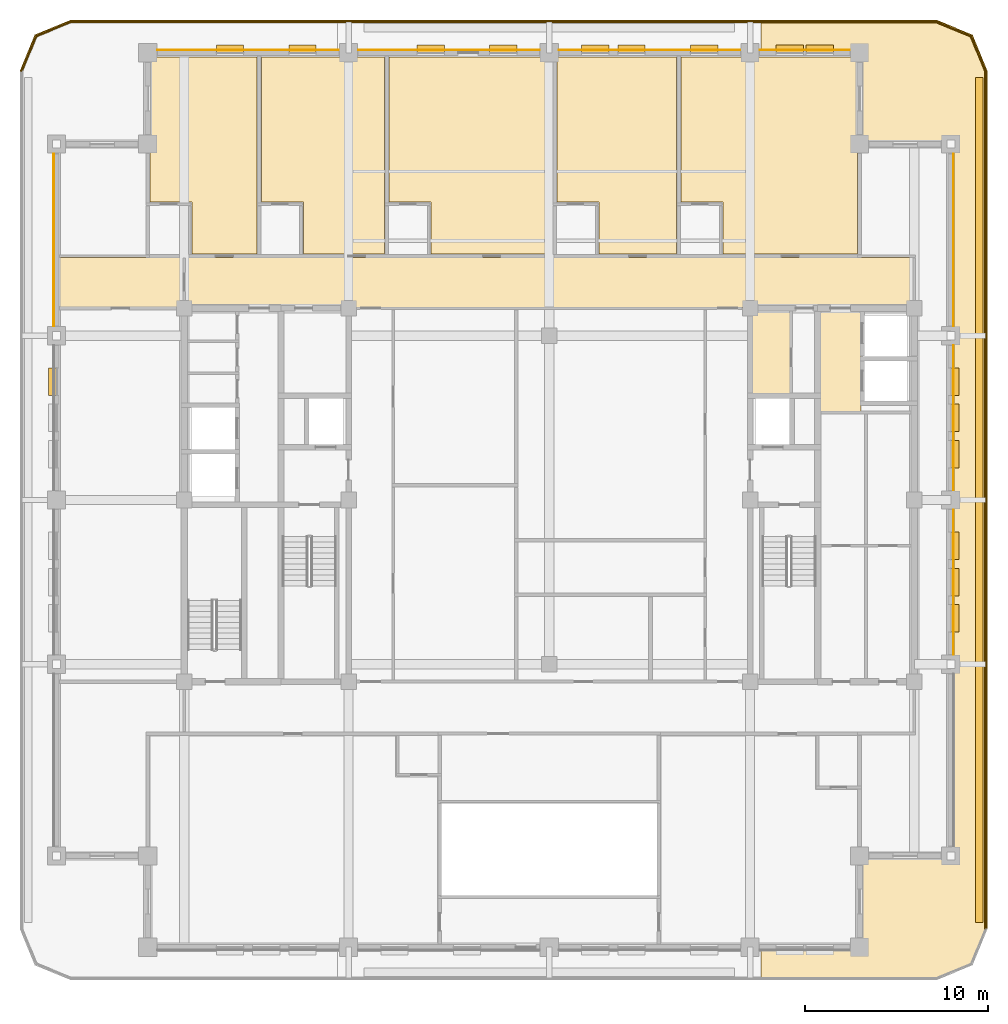
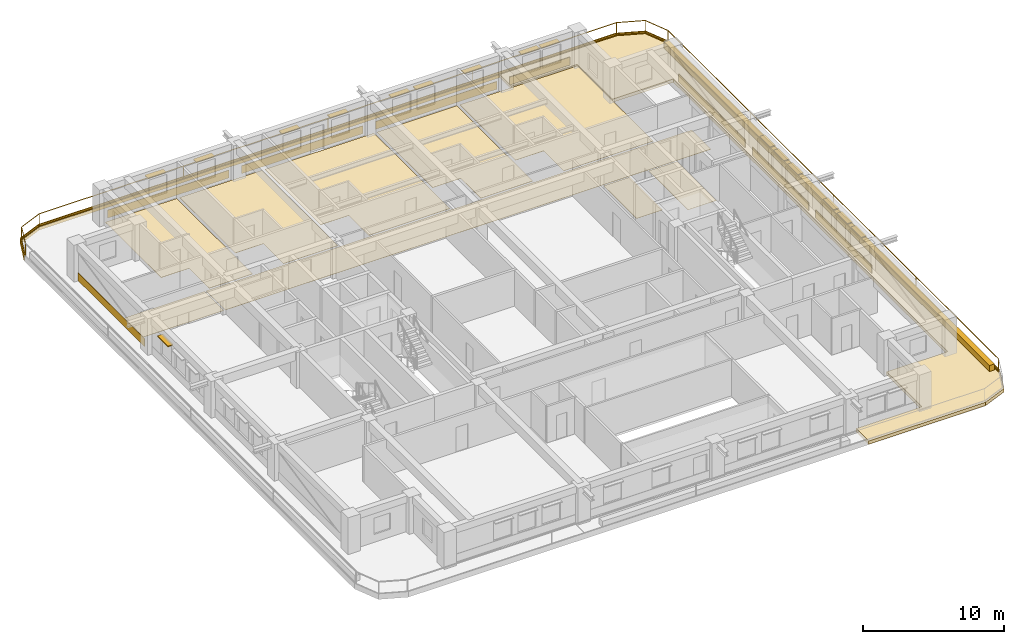
# One storey, part 14 of 14: 25 coverings, 16 shading devices, 2 railings.
"""IFC4 building model written with IfcOpenShell, lengths in metres."""

from ifc_helpers import new_model, si_unit, direction, frame, frame_2d, origin, origin_2d, place, context, subcontext, project, spatial, polyline, rectangle, outline, extrude, material, layer, layer_set, type_object, element, save


model = new_model("IFC4")

# Units and contexts
model_context = context("Model", 3, precision=1e-05, world=origin(), true_north=direction((0.0, 1.0)))
body_context = subcontext(model_context, "Body", "Model", "MODEL_VIEW")
ifc_project = project(units=[si_unit("LENGTHUNIT", "METRE"), si_unit("AREAUNIT", "SQUARE_METRE"), si_unit("VOLUMEUNIT", "CUBIC_METRE"), si_unit("PLANEANGLEUNIT", "RADIAN"), si_unit("MASSUNIT", "GRAM", prefix="KILO")], contexts=[model_context])

# Site, building, storey
site_placement = place(None, origin())
site = spatial("IfcSite", under=ifc_project, at=site_placement, CompositionType="ELEMENT")
building_placement = place(site_placement, origin())
building = spatial("IfcBuilding", under=site, at=building_placement, Name="Zulmaris Gate Convention Tower", CompositionType="ELEMENT")
storey_placement = place(building_placement, frame((0.0, 0.0, 215.260009765625)))
storey = spatial("IfcBuildingStorey", under=building, at=storey_placement, Name="L56", CompositionType="ELEMENT", Elevation=215.260009765625)

# Coverings
ifc_material_1 = material(Name="Precast concrete C40/50", Category="concrete")
ifc_layer_1 = layer(ifc_material_1, 0.0400390625, Name="Precast concrete C40/50")
ifc_layer_set_1 = layer_set([ifc_layer_1], Name="Precast concrete C40/50")
covering_type_1 = type_object("IfcCoveringType", Name="CLAD-SPANDREL-PRECAST", PredefinedType="CLADDING", material=ifc_layer_set_1)
for number, where, z_axis, x_axis, name in (
    (1, (-11.530029296875, 24.64990234375, 0.0), (0.0, 0.0, 1.0), (-1.0, 0.0, 0.0), "CLD-L56-N-0_0"),
    (2, (-0.530029296875, 24.64990234375, 0.0), (0.0, 0.0, 1.0), (-1.0, 0.0, 0.0), "CLD-L56-N-1_0"),
    (3, (10.469970703125, 24.64990234375, 0.0), (0.0, 0.0, 1.0), (-1.0, 0.0, 0.0), "CLD-L56-N-2_0"),
):
    element("IfcCovering", number, at=place(storey_placement, frame(where, z_axis=z_axis, x_axis=x_axis)), inside=storey, type_object=covering_type_1, Name=name, PredefinedType="CLADDING", context=body_context, shape_type="SweptSolid", body=[
        extrude(rectangle(XDim=9.93994140625, YDim=0.0400390625, at=frame_2d((4.969970703125, 0.0))), origin(), (0.0, 0.0, 1.0), 0.679931640625),
    ])
covering_1_placement = place(storey_placement, frame((16.469970703125, 24.64990234375, 0.0), z_axis=(0.0, 0.0, 1.0), x_axis=(-1.0, 0.0, 0.0)))
element("IfcCovering", 4, at=covering_1_placement, inside=storey, type_object=covering_type_1, Name="CLD-L56-N-3_0", PredefinedType="CLADDING", context=body_context, shape_type="SweptSolid", body=[
    extrude(rectangle(XDim=4.93994140625, YDim=0.0400390625, at=frame_2d((2.469970703125, 0.0))), origin(), (0.0, 0.0, 1.0), 0.679931640625),
])
for number, where, z_axis, x_axis, name in (
    (5, (22.14990234375, -8.469970703125, 0.0), (0.0, 0.0, 1.0), (0.0, 1.0, 0.0), "CLD-L56-E-1_0"),
    (6, (22.14990234375, 0.530029296875, 0.0), (0.0, 0.0, 1.0), (0.0, 1.0, 0.0), "CLD-L56-E-2_0"),
):
    element("IfcCovering", number, at=place(storey_placement, frame(where, z_axis=z_axis, x_axis=x_axis)), inside=storey, type_object=covering_type_1, Name=name, PredefinedType="CLADDING", context=body_context, shape_type="SweptSolid", body=[
        extrude(rectangle(XDim=7.93994140625, YDim=0.0400390625, at=frame_2d((3.969970703125, 0.0))), origin(), (0.0, 0.0, 1.0), 0.679931640625),
    ])
for number, where, z_axis, x_axis, name in (
    (7, (22.14990234375, 9.530029296875, 0.0), (0.0, 0.0, 1.0), (0.0, 1.0, 0.0), "CLD-L56-E-3_0"),
    (8, (-27.14990234375, 18.969970703125, 0.0), (0.0, 0.0, 1.0), (0.0, -1.0, 0.0), "CLD-L56-W-3_0"),
):
    element("IfcCovering", number, at=place(storey_placement, frame(where, z_axis=z_axis, x_axis=x_axis)), inside=storey, type_object=covering_type_1, Name=name, PredefinedType="CLADDING", context=body_context, shape_type="SweptSolid", body=[
        extrude(rectangle(XDim=9.43994140625, YDim=0.0400390625, at=frame_2d((4.719970703125, 0.0))), origin(), (0.0, 0.0, 1.0), 0.679931640625),
    ])
ifc_material_2 = material(Name="White Glazed Architectural Precast Concrete C40/50", Category="concrete")
ifc_layer_2 = layer(ifc_material_2, 0.239990234375, Name="White Glazed Architectural Precast Concrete C40/50")
ifc_layer_set_2 = layer_set([ifc_layer_2], Name="White Glazed Architectural Precast Concrete C40/50")
covering_type_2 = type_object("IfcCoveringType", Name="CLAD-TRAY-DECK", PredefinedType="CLADDING", material=ifc_layer_set_2)
covering_2_placement = place(storey_placement, frame((0.0, 0.0, -0.324951171875)))
element("IfcCovering", 9, at=covering_2_placement, inside=storey, type_object=covering_type_2, Name="L56 East Rounded-Fascia Planter Tray Deck", PredefinedType="CLADDING", context=body_context, shape_type="SweptSolid", body=[
    extrude(outline(polyline([(21.199951171875, 26.300048828125), (23.179931640625, 25.47998046875), (24.0, 23.5), (24.0, -23.5), (23.179931640625, -25.47998046875), (21.199951171875, -26.300048828125), (11.60205078125, -26.300048828125), (11.60205078125, -24.5), (17.0, -24.5), (17.0, -19.5), (22.0, -19.5), (22.0, 19.5), (17.0, 19.5), (17.0, 24.5), (11.60205078125, 24.5), (11.60205078125, 26.300048828125), (21.199951171875, 26.300048828125)])), origin(), (0.0, 0.0, 1.0), 0.284912109375),
])
ifc_layer_3 = layer(ifc_material_2, 0.080078125, Name="White Glazed Architectural Precast Concrete C40/50")
ifc_layer_set_3 = layer_set([ifc_layer_3], Name="White Glazed Architectural Precast Concrete C40/50")
covering_type_3 = type_object("IfcCoveringType", Name="CLAD-TRAY-FASCIA", PredefinedType="CLADDING", material=ifc_layer_set_3)
covering_3_placement = place(storey_placement, frame((23.9599609375, -23.5, -0.364990234375), z_axis=(0.0, 0.0, 1.0), x_axis=(0.0, 1.0, 0.0)))
element("IfcCovering", 10, at=covering_3_placement, inside=storey, type_object=covering_type_3, Name="FSC-L56-TR-05", PredefinedType="CLADDING", context=body_context, shape_type="SweptSolid", body=[
    extrude(rectangle(XDim=47.0, YDim=0.080078125, at=frame_2d((23.5, 0.0))), origin(), (0.0, 0.0, 1.0), 0.48486328125),
])
covering_4_placement = place(storey_placement, frame((23.962890625, 23.484619140625, -0.364990234375), z_axis=(0.0, 0.0, 1.0), x_axis=(-0.382656984709, 0.923890487046, 0.0)))
element("IfcCovering", 11, at=covering_4_placement, inside=storey, type_object=covering_type_3, Name="FSC-L56-TR-06", PredefinedType="CLADDING", context=body_context, shape_type="SweptSolid", body=[
    extrude(rectangle(XDim=2.14306640625, YDim=0.080078125, at=frame_2d((1.071533203125, 0.0))), origin(), (0.0, 0.0, 1.0), 0.48486328125),
])
covering_5_placement = place(storey_placement, frame((23.16455078125, 25.44287109375, -0.364990234375), z_axis=(0.0, 0.0, 1.0), x_axis=(-0.923873803533, 0.382697263049, 0.0)))
element("IfcCovering", 12, at=covering_5_placement, inside=storey, type_object=covering_type_3, Name="FSC-L56-TR-07", PredefinedType="CLADDING", context=body_context, shape_type="SweptSolid", body=[
    extrude(rectangle(XDim=2.142822265625, YDim=0.080078125, at=frame_2d((1.0712890625, 0.0))), origin(), (0.0, 0.0, 1.0), 0.48486328125),
])
covering_6_placement = place(storey_placement, frame((21.199951171875, 26.260009765625, -0.364990234375), z_axis=(0.0, 0.0, 1.0), x_axis=(-1.0, 0.0, 0.0)))
element("IfcCovering", 13, at=covering_6_placement, inside=storey, type_object=covering_type_3, Name="FSC-L56-TR-08", PredefinedType="CLADDING", context=body_context, shape_type="SweptSolid", body=[
    extrude(rectangle(XDim=47.39990234375, YDim=0.080078125, at=frame_2d((23.699951171875, 0.0))), origin(), (0.0, 0.0, 1.0), 0.48486328125),
])
covering_7_placement = place(storey_placement, frame((-26.184814453125, 26.262939453125, -0.364990234375), z_axis=(0.0, 0.0, 1.0), x_axis=(-0.923873803533, -0.382697263049, 0.0)))
element("IfcCovering", 14, at=covering_7_placement, inside=storey, type_object=covering_type_3, Name="FSC-L56-TR-09", PredefinedType="CLADDING", context=body_context, shape_type="SweptSolid", body=[
    extrude(rectangle(XDim=2.142822265625, YDim=0.080078125, at=frame_2d((1.0712890625, 0.0))), origin(), (0.0, 0.0, 1.0), 0.48486328125),
])
covering_8_placement = place(storey_placement, frame((-28.142822265625, 25.464599609375, -0.364990234375), z_axis=(0.0, 0.0, 1.0), x_axis=(-0.382656984709, -0.923890487046, 0.0)))
element("IfcCovering", 15, at=covering_8_placement, inside=storey, type_object=covering_type_3, Name="FSC-L56-TR-10", PredefinedType="CLADDING", context=body_context, shape_type="SweptSolid", body=[
    extrude(rectangle(XDim=2.14306640625, YDim=0.080078125, at=frame_2d((1.071533203125, 0.0))), origin(), (0.0, 0.0, 1.0), 0.48486328125),
])
ifc_material_3 = material(Name="Woven Acoustic Wool Carpet Tile")
ifc_layer_4 = layer(ifc_material_3, 0.02001953125, Name="Woven Acoustic Wool Carpet Tile")
ifc_layer_set_4 = layer_set([ifc_layer_4], Name="Woven Acoustic Wool Carpet Tile")
covering_type_4 = type_object("IfcCoveringType", Name="FLR-CARPET-12", PredefinedType="FLOORING", material=ifc_layer_set_4)
covering_9_placement = place(storey_placement, origin())
element("IfcCovering", 16, at=covering_9_placement, inside=storey, type_object=covering_type_4, Name="FLR-L56-R12", PredefinedType="FLOORING", context=body_context, shape_type="SweptSolid", body=[
    extrude(outline(polyline([(11.06005859375, 5.760009765625), (13.18994140625, 5.760009765625), (13.18994140625, 10.43994140625), (11.06005859375, 10.43994140625), (11.06005859375, 5.760009765625)])), origin(), (0.0, 0.0, 1.0), 0.02001953125),
])
covering_10_placement = place(storey_placement, origin())
element("IfcCovering", 17, at=covering_10_placement, inside=storey, type_object=covering_type_4, Name="FLR-L56-R24", PredefinedType="FLOORING", context=body_context, shape_type="SweptSolid", body=[
    extrude(outline(polyline([(14.760009765625, 4.860107421875), (17.090087890625, 4.860107421875), (17.090087890625, 10.43994140625), (14.760009765625, 10.43994140625), (14.760009765625, 4.860107421875)])), origin(), (0.0, 0.0, 1.0), 0.02001953125),
])
covering_11_placement = place(storey_placement, origin())
element("IfcCovering", 18, at=covering_11_placement, inside=storey, type_object=covering_type_4, Name="FLR-L56-R31", PredefinedType="FLOORING", context=body_context, shape_type="SweptSolid", body=[
    extrude(outline(polyline([(-19.93994140625, 10.56005859375), (19.93994140625, 10.56005859375), (19.93994140625, 13.2900390625), (-19.93994140625, 13.2900390625), (-19.93994140625, 10.56005859375)])), origin(), (0.0, 0.0, 1.0), 0.02001953125),
])
covering_12_placement = place(storey_placement, origin())
element("IfcCovering", 19, at=covering_12_placement, inside=storey, type_object=covering_type_4, Name="FLR-L56-R57", PredefinedType="FLOORING", context=body_context, shape_type="SweptSolid", body=[
    extrude(outline(polyline([(-26.93994140625, 10.56005859375), (-20.06005859375, 10.56005859375), (-20.06005859375, 13.2900390625), (-26.93994140625, 13.2900390625), (-26.93994140625, 10.56005859375)])), origin(), (0.0, 0.0, 1.0), 0.02001953125),
])
ifc_material_4 = material(Name="Engineered Teak Parquet Flooring")
ifc_layer_5 = layer(ifc_material_4, 0.02001953125, Name="Engineered Teak Parquet Flooring")
ifc_layer_set_5 = layer_set([ifc_layer_5], Name="Engineered Teak Parquet Flooring")
covering_type_5 = type_object("IfcCoveringType", Name="FLR-TIMBER-18", PredefinedType="FLOORING", material=ifc_layer_set_5)
covering_13_placement = place(storey_placement, origin())
element("IfcCovering", 20, at=covering_13_placement, inside=storey, type_object=covering_type_5, Name="FLR-L56-R36", PredefinedType="FLOORING", context=body_context, shape_type="SweptSolid", body=[
    extrude(outline(polyline([(-19.580078125, 13.469970703125), (-16.02001953125, 13.469970703125), (-16.02001953125, 24.260009765625), (-21.8798828125, 24.260009765625), (-21.8798828125, 16.320068359375), (-19.580078125, 16.320068359375), (-19.580078125, 13.469970703125)])), origin(), (0.0, 0.0, 1.0), 0.02001953125),
])
covering_14_placement = place(storey_placement, origin())
element("IfcCovering", 21, at=covering_14_placement, inside=storey, type_object=covering_type_5, Name="FLR-L56-R38", PredefinedType="FLOORING", context=body_context, shape_type="SweptSolid", body=[
    extrude(outline(polyline([(-13.47998046875, 13.469970703125), (-9.02001953125, 13.469970703125), (-9.02001953125, 24.260009765625), (-15.780029296875, 24.260009765625), (-15.780029296875, 16.320068359375), (-13.47998046875, 16.320068359375), (-13.47998046875, 13.469970703125)])), origin(), (0.0, 0.0, 1.0), 0.02001953125),
])
covering_15_placement = place(storey_placement, origin())
element("IfcCovering", 22, at=covering_15_placement, inside=storey, type_object=covering_type_5, Name="FLR-L56-R40", PredefinedType="FLOORING", context=body_context, shape_type="SweptSolid", body=[
    extrude(outline(polyline([(-6.47998046875, 13.469970703125), (0.179931640625, 13.469970703125), (0.179931640625, 24.260009765625), (-8.780029296875, 24.260009765625), (-8.780029296875, 16.320068359375), (-6.47998046875, 16.320068359375), (-6.47998046875, 13.469970703125)])), origin(), (0.0, 0.0, 1.0), 0.02001953125),
])
covering_16_placement = place(storey_placement, origin())
element("IfcCovering", 23, at=covering_16_placement, inside=storey, type_object=covering_type_5, Name="FLR-L56-R42", PredefinedType="FLOORING", context=body_context, shape_type="SweptSolid", body=[
    extrude(outline(polyline([(2.719970703125, 13.469970703125), (6.97998046875, 13.469970703125), (6.97998046875, 24.260009765625), (0.419921875, 24.260009765625), (0.419921875, 16.320068359375), (2.719970703125, 16.320068359375), (2.719970703125, 13.469970703125)])), origin(), (0.0, 0.0, 1.0), 0.02001953125),
])
covering_17_placement = place(storey_placement, origin())
element("IfcCovering", 24, at=covering_17_placement, inside=storey, type_object=covering_type_5, Name="FLR-L56-R44", PredefinedType="FLOORING", context=body_context, shape_type="SweptSolid", body=[
    extrude(outline(polyline([(9.52001953125, 13.469970703125), (16.8798828125, 13.469970703125), (16.8798828125, 24.260009765625), (7.219970703125, 24.260009765625), (7.219970703125, 16.320068359375), (9.52001953125, 16.320068359375), (9.52001953125, 13.469970703125)])), origin(), (0.0, 0.0, 1.0), 0.02001953125),
])
ifc_material_5 = material(Name="Botanical Green Glazed Precast Concrete C40/50", Category="concrete")
ifc_layer_6 = layer(ifc_material_5, 0.419921875, Name="Botanical Green Glazed Precast Concrete C40/50")
ifc_layer_set_6 = layer_set([ifc_layer_6], Name="Botanical Green Glazed Precast Concrete C40/50")
covering_type_6 = type_object("IfcCoveringType", Name="PLANTER-BOX-200", PredefinedType="CLADDING", material=ifc_layer_set_6)
covering_18_placement = place(storey_placement, frame((0.0, 0.0, -0.0400390625)))
element("IfcCovering", 25, at=covering_18_placement, inside=storey, type_object=covering_type_6, Name="L56 E Full-Length Balcony Tree Planter Trough", PredefinedType="CLADDING", context=body_context, shape_type="SweptSolid", body=[
    extrude(outline(polyline([(23.340087890625, -23.14990234375), (23.760009765625, -23.14990234375), (23.760009765625, 23.14990234375), (23.340087890625, 23.14990234375), (23.340087890625, -23.14990234375)])), origin(), (0.0, 0.0, 1.0), 0.52001953125),
])

# Railings
ifc_material_6 = material(Name="Laminated Glass and Stainless Steel", Category="steel")
railing_type = type_object("IfcRailingType", Name="RL-BALC-1150", PredefinedType="BALUSTRADE", material=ifc_material_6)
railing_1_placement = place(storey_placement, frame((23.8798828125, -23.5, -0.0400390625)))
element("IfcRailing", 26, at=railing_1_placement, inside=storey, type_object=railing_type, Name="RL-L56-BALC-E", PredefinedType="BALUSTRADE", context=body_context, shape_type="SweptSolid", body=[
    extrude(rectangle(XDim=0.048095703125, YDim=0.048095703125, at=origin_2d()), frame((0.0, 0.0, 1.1259765625), z_axis=(0.0, 1.0, 0.0), x_axis=(-1.0, 0.0, 0.0)), (0.0, 0.0, 1.0), 47.0),
    extrude(rectangle(XDim=0.048095703125, YDim=0.048095703125, at=origin_2d()), frame((0.0, 0.0, 0.02392578125), z_axis=(0.0, 1.0, 0.0), x_axis=(-1.0, 0.0, 0.0)), (0.0, 0.0, 1.0), 47.0),
    extrude(rectangle(XDim=0.0419921875, YDim=0.0419921875, at=origin_2d()), origin(), (0.0, 0.0, 1.0), 1.101806640625),
    extrude(rectangle(XDim=0.0419921875, YDim=0.0419921875, at=origin_2d()), frame((0.0, 11.75, 0.0)), (0.0, 0.0, 1.0), 1.101806640625),
    extrude(rectangle(XDim=0.0419921875, YDim=0.0419921875, at=origin_2d()), frame((0.0, 23.5, 0.0)), (0.0, 0.0, 1.0), 1.101806640625),
    extrude(rectangle(XDim=0.0419921875, YDim=0.0419921875, at=origin_2d()), frame((0.0, 35.25, 0.0)), (0.0, 0.0, 1.0), 1.101806640625),
    extrude(rectangle(XDim=0.0419921875, YDim=0.0419921875, at=origin_2d()), frame((0.0, 47.0, 0.0)), (0.0, 0.0, 1.0), 1.101806640625),
])
railing_2_placement = place(storey_placement, frame((23.8798828125, 23.5, -0.0400390625)))
element("IfcRailing", 27, at=railing_2_placement, inside=storey, type_object=railing_type, Name="RL-L56-BALC-N", PredefinedType="BALUSTRADE", context=body_context, shape_type="SweptSolid", body=[
    extrude(rectangle(XDim=0.048095703125, YDim=0.048095703125, at=origin_2d()), frame((0.0, 0.0, 1.1259765625), z_axis=(-0.382670664694, 0.92388482095, 0.0), x_axis=(-0.92388482095, -0.382670664694, 0.0)), (0.0, 0.0, 1.0), 2.051025390625),
    extrude(rectangle(XDim=0.048095703125, YDim=0.048095703125, at=origin_2d()), frame((0.0, 0.0, 0.02392578125), z_axis=(-0.382670664694, 0.92388482095, 0.0), x_axis=(-0.92388482095, -0.382670664694, 0.0)), (0.0, 0.0, 1.0), 2.051025390625),
    extrude(rectangle(XDim=0.048095703125, YDim=0.048095703125, at=origin_2d()), frame((-0.784912109375, 1.89501953125, 1.1259765625), z_axis=(-0.92388482095, 0.382670664694, 0.0), x_axis=(-0.382670664694, -0.92388482095, 0.0)), (0.0, 0.0, 1.0), 2.051025390625),
    extrude(rectangle(XDim=0.048095703125, YDim=0.048095703125, at=origin_2d()), frame((-0.784912109375, 1.89501953125, 0.02392578125), z_axis=(-0.92388482095, 0.382670664694, 0.0), x_axis=(-0.382670664694, -0.92388482095, 0.0)), (0.0, 0.0, 1.0), 2.051025390625),
    extrude(rectangle(XDim=0.048095703125, YDim=0.048095703125, at=origin_2d()), frame((-2.679931640625, 2.679931640625, 1.1259765625), z_axis=(-1.0, 0.0, 0.0), x_axis=(0.0, -1.0, 0.0)), (0.0, 0.0, 1.0), 47.39990234375),
    extrude(rectangle(XDim=0.048095703125, YDim=0.048095703125, at=origin_2d()), frame((-2.679931640625, 2.679931640625, 0.02392578125), z_axis=(-1.0, 0.0, 0.0), x_axis=(0.0, -1.0, 0.0)), (0.0, 0.0, 1.0), 47.39990234375),
    extrude(rectangle(XDim=0.048095703125, YDim=0.048095703125, at=origin_2d()), frame((-50.079833984375, 2.679931640625, 1.1259765625), z_axis=(-0.92388482095, -0.382670664694, 0.0), x_axis=(0.382670664694, -0.92388482095, 0.0)), (0.0, 0.0, 1.0), 2.051025390625),
    extrude(rectangle(XDim=0.048095703125, YDim=0.048095703125, at=origin_2d()), frame((-50.079833984375, 2.679931640625, 0.02392578125), z_axis=(-0.92388482095, -0.382670664694, 0.0), x_axis=(0.382670664694, -0.92388482095, 0.0)), (0.0, 0.0, 1.0), 2.051025390625),
    extrude(rectangle(XDim=0.048095703125, YDim=0.048095703125, at=origin_2d()), frame((-51.974853515625, 1.89501953125, 1.1259765625), z_axis=(-0.382670664694, -0.92388482095, 0.0), x_axis=(0.92388482095, -0.382670664694, 0.0)), (0.0, 0.0, 1.0), 2.051025390625),
    extrude(rectangle(XDim=0.048095703125, YDim=0.048095703125, at=origin_2d()), frame((-51.974853515625, 1.89501953125, 0.02392578125), z_axis=(-0.382670664694, -0.92388482095, 0.0), x_axis=(0.92388482095, -0.382670664694, 0.0)), (0.0, 0.0, 1.0), 2.051025390625),
    extrude(rectangle(XDim=0.0419921875, YDim=0.0419921875, at=origin_2d()), origin(), (0.0, 0.0, 1.0), 1.101806640625),
    extrude(rectangle(XDim=0.0419921875, YDim=0.0419921875, at=origin_2d()), frame((-0.784912109375, 1.89501953125, 0.0)), (0.0, 0.0, 1.0), 1.101806640625),
    extrude(rectangle(XDim=0.0419921875, YDim=0.0419921875, at=origin_2d()), frame((-2.679931640625, 2.679931640625, 0.0)), (0.0, 0.0, 1.0), 1.101806640625),
    extrude(rectangle(XDim=0.0419921875, YDim=0.0419921875, at=origin_2d()), frame((-14.52978515625, 2.679931640625, 0.0)), (0.0, 0.0, 1.0), 1.101806640625),
    extrude(rectangle(XDim=0.0419921875, YDim=0.0419921875, at=origin_2d()), frame((-26.3798828125, 2.679931640625, 0.0)), (0.0, 0.0, 1.0), 1.101806640625),
    extrude(rectangle(XDim=0.0419921875, YDim=0.0419921875, at=origin_2d()), frame((-38.22998046875, 2.679931640625, 0.0)), (0.0, 0.0, 1.0), 1.101806640625),
    extrude(rectangle(XDim=0.0419921875, YDim=0.0419921875, at=origin_2d()), frame((-50.079833984375, 2.679931640625, 0.0)), (0.0, 0.0, 1.0), 1.101806640625),
    extrude(rectangle(XDim=0.0419921875, YDim=0.0419921875, at=origin_2d()), frame((-51.974853515625, 1.89501953125, 0.0)), (0.0, 0.0, 1.0), 1.101806640625),
    extrude(rectangle(XDim=0.0419921875, YDim=0.0419921875, at=origin_2d()), frame((-52.759765625, 0.0, 0.0)), (0.0, 0.0, 1.0), 1.101806640625),
])

# Shading devices
ifc_material_7 = material(Name="Glazed Ceramic Terracotta", Category="masonry")
ifc_layer_7 = layer(ifc_material_7, 0.070068359375, Name="Glazed Ceramic Terracotta")
ifc_layer_set_7 = layer_set([ifc_layer_7], Name="Glazed Ceramic Terracotta")
shading_device_type = type_object("IfcShadingDeviceType", Name="SHD-SUNSHADE-TC", PredefinedType="AWNING", material=ifc_layer_set_7)
for number, where, z_axis, x_axis, name in (
    (28, (-12.76806640625, 24.719970703125, 2.35009765625), (0.0, 0.0, 1.0), (-1.0, 0.0, 0.0), "SHD-EW-L56-N-0_0-1"),
    (29, (-16.743896484375, 24.719970703125, 2.35009765625), (0.0, 0.0, 1.0), (-1.0, 0.0, 0.0), "SHD-EW-L56-N-0_0-3"),
    (30, (-1.76806640625, 24.719970703125, 2.35009765625), (0.0, 0.0, 1.0), (-1.0, 0.0, 0.0), "SHD-EW-L56-N-1_0-1"),
    (31, (-5.743896484375, 24.719970703125, 2.35009765625), (0.0, 0.0, 1.0), (-1.0, 0.0, 0.0), "SHD-EW-L56-N-1_0-3"),
    (32, (9.23193359375, 24.719970703125, 2.35009765625), (0.0, 0.0, 1.0), (-1.0, 0.0, 0.0), "SHD-EW-L56-N-2_0-1"),
    (33, (5.256103515625, 24.719970703125, 2.35009765625), (0.0, 0.0, 1.0), (-1.0, 0.0, 0.0), "SHD-EW-L56-N-2_0-3"),
    (34, (3.26806640625, 24.719970703125, 2.35009765625), (0.0, 0.0, 1.0), (-1.0, 0.0, 0.0), "SHD-EW-L56-N-2_0-4"),
    (35, (15.572998046875, 24.719970703125, 2.35009765625), (0.0, 0.0, 1.0), (-1.0, 0.0, 0.0), "SHD-EW-L56-N-3_0-1"),
    (36, (13.927001953125, 24.719970703125, 2.35009765625), (0.0, 0.0, 1.0), (-1.0, 0.0, 0.0), "SHD-EW-L56-N-3_0-2"),
    (37, (22.219970703125, -7.235107421875, 2.35009765625), (0.0, 0.0, 1.0), (0.0, 1.0, 0.0), "SHD-EW-L56-E-1_0-1"),
    (38, (22.219970703125, -5.25, 2.35009765625), (0.0, 0.0, 1.0), (0.0, 1.0, 0.0), "SHD-EW-L56-E-1_0-2"),
    (39, (22.219970703125, -3.264892578125, 2.35009765625), (0.0, 0.0, 1.0), (0.0, 1.0, 0.0), "SHD-EW-L56-E-1_0-3"),
    (40, (22.219970703125, 1.764892578125, 2.35009765625), (0.0, 0.0, 1.0), (0.0, 1.0, 0.0), "SHD-EW-L56-E-2_0-1"),
    (41, (22.219970703125, 3.75, 2.35009765625), (0.0, 0.0, 1.0), (0.0, 1.0, 0.0), "SHD-EW-L56-E-2_0-2"),
    (42, (22.219970703125, 5.735107421875, 2.35009765625), (0.0, 0.0, 1.0), (0.0, 1.0, 0.0), "SHD-EW-L56-E-2_0-3"),
    (43, (-27.219970703125, 7.235107421875, 2.35009765625), (0.0, 0.0, 1.0), (0.0, -1.0, 0.0), "SHD-EW-L56-W-2_0-1"),
):
    element("IfcShadingDevice", number, at=place(storey_placement, frame(where, z_axis=z_axis, x_axis=x_axis)), inside=storey, type_object=shading_device_type, Name=name, PredefinedType="AWNING", context=body_context, shape_type="SweptSolid", body=[
        extrude(rectangle(XDim=1.5, YDim=0.43994140625, at=frame_2d((0.75, 0.0))), origin(), (0.0, 0.0, 1.0), 0.06982421875),
    ])

save(model, "model.ifc")
